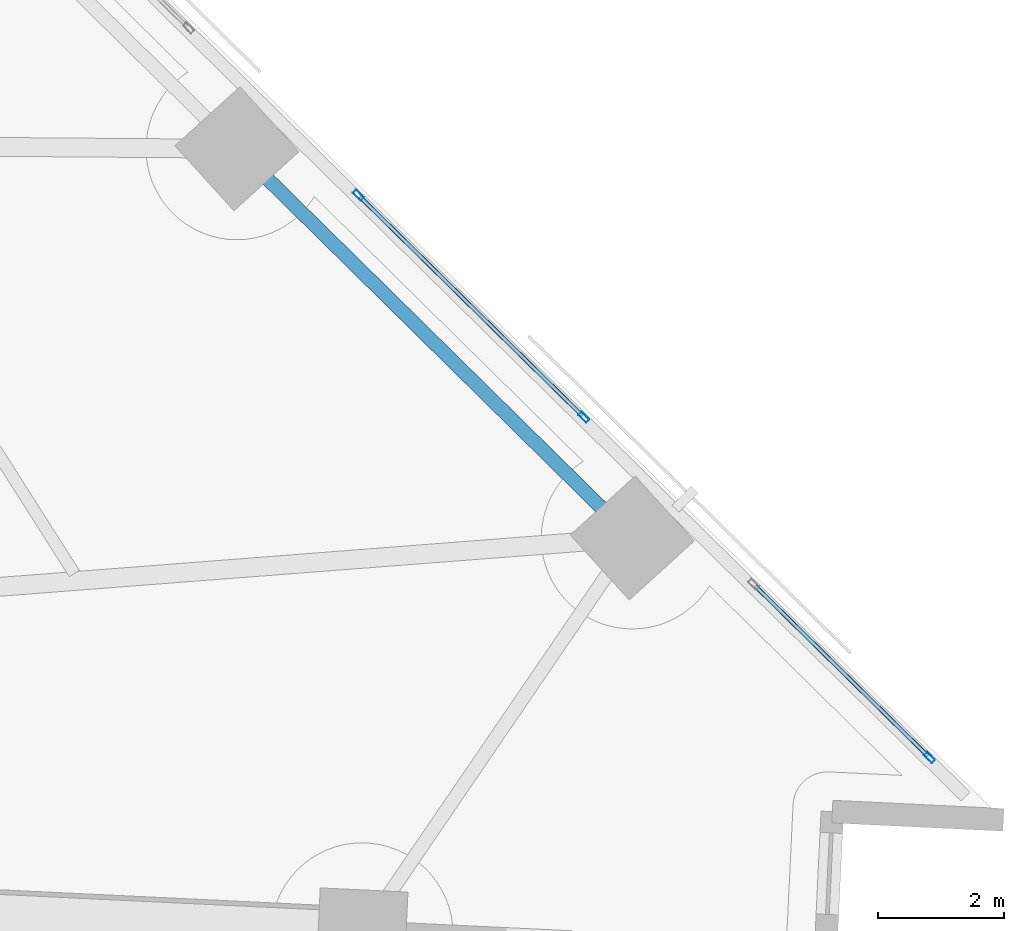
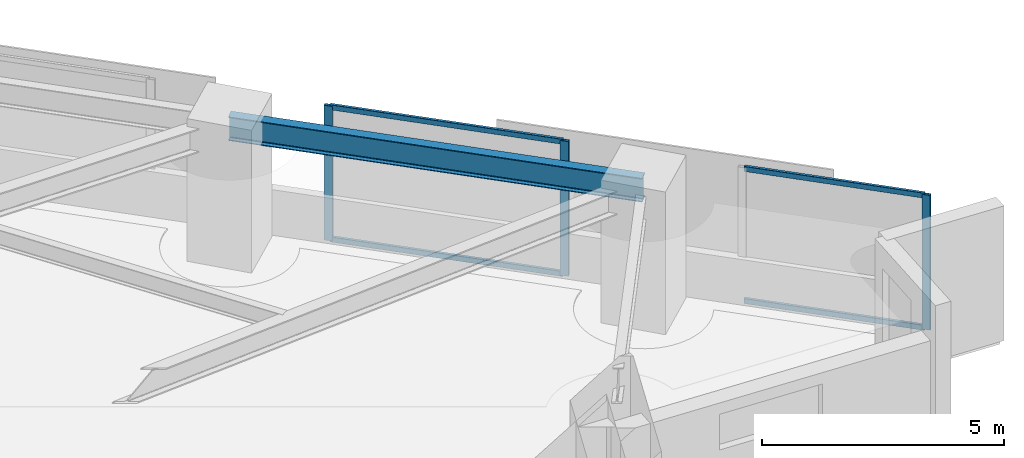
# One storey, part 5 of 17: 7 members, 1 beam, 2 elements without a shape of their own.
"""IFC4 building model written with IfcOpenShell, lengths in metres."""

from ifc_helpers import new_model, si_unit, direction, frame, origin, origin_2d, place, context, subcontext, project, spatial, hollow_rectangle, i_section, extrude, material, material_profile, profile_set, type_object, element, aggregate, save


model = new_model("IFC4")

# Units and contexts
model_context = context("Model", 3, precision=1e-05, world=origin(), true_north=direction((0.0, 1.0)))
body_context = subcontext(model_context, "Body", "Model", "MODEL_VIEW")
ifc_project = project(units=[si_unit("LENGTHUNIT", "METRE"), si_unit("AREAUNIT", "SQUARE_METRE"), si_unit("VOLUMEUNIT", "CUBIC_METRE"), si_unit("PLANEANGLEUNIT", "RADIAN"), si_unit("MASSUNIT", "GRAM", prefix="KILO")], contexts=[model_context])

# Site, building, storey
site_placement = place(None, origin())
site = spatial("IfcSite", under=ifc_project, at=site_placement, CompositionType="ELEMENT")
building_placement = place(site_placement, origin())
building = spatial("IfcBuilding", under=site, at=building_placement, Name="Narakoshi Arena Tower", CompositionType="ELEMENT")
storey_placement = place(building_placement, frame((0.0, 0.0, 30.300048828125)))
storey = spatial("IfcBuildingStorey", under=building, at=storey_placement, Name="L07", CompositionType="ELEMENT", Elevation=30.300048828125)

# Beam
ifc_material_1 = material(Name="Structural steel S355J2", Category="steel")
ifc_material_profile_1 = material_profile(ifc_material_1, i_section(OverallWidth=0.219970703125, OverallDepth=0.60009765625, WebThickness=0.011962890625, FlangeThickness=0.01904296875, FilletRadius=0.02392578125, at=origin_2d()), Name="IPE600")
ifc_profile_set_1 = profile_set([ifc_material_profile_1], Name="Structural steel S355J2")
beam_type = type_object("IfcBeamType", Name="BM-EDGE-600", PredefinedType="BEAM", material=ifc_profile_set_1)
beam_placement = place(storey_placement, frame((114.942138671875, 36.969970703125, 3.099853515625), z_axis=(-0.712540689328, 0.70163079041, 0.0), x_axis=(-0.70163079041, -0.712540689328, 0.0)))
element("IfcBeam", 1, at=beam_placement, inside=storey, type_object=beam_type, Name="L07 Perimeter Edge Girder 05", PredefinedType="BEAM", context=body_context, shape_type="SweptSolid", body=[
    extrude(i_section(OverallWidth=0.219970703125, OverallDepth=0.60009765625, WebThickness=0.011962890625, FlangeThickness=0.01904296875, FilletRadius=0.02392578125, at=origin_2d()), origin(), (0.0, 0.0, 1.0), 8.83935546875),
])

# Curtain wall, member
ifc_material_2 = material(Name="Anodised bronze aluminium 6063-T6", Category="aluminium")
curtain_wall_type = type_object("IfcCurtainWallType", Name="CW-HYP-LOW", PredefinedType="NOTDEFINED", material=ifc_material_2)
curtain_wall_1_placement = place(storey_placement, origin())
curtain_wall_1 = element("IfcCurtainWall", 2, at=curtain_wall_1_placement, inside=storey, type_object=curtain_wall_type, Name="L07 Folded Hypotenuse Curtain Wall 1-1", PredefinedType="NOTDEFINED")
ifc_material_profile_2 = material_profile(ifc_material_2, hollow_rectangle(XDim=0.074951171875, YDim=0.179931640625, WallThickness=0.00390625, OuterFilletRadius=0.0048828125, at=origin_2d()), Name="MUL180x75x4")
ifc_profile_set_2 = profile_set([ifc_material_profile_2], Name="Anodised bronze aluminium 6063-T6")
member_type_1 = type_object("IfcMemberType", Name="MEM-MUL-180", PredefinedType="MULLION", material=ifc_profile_set_2)
member_1_placement = place(storey_placement, frame((119.677734375, 33.471923828125, 0.0), z_axis=(0.0, 0.0, 1.0), x_axis=(-0.701630192894, -0.712541277695, 0.0)))
member_1 = element("IfcMember", 3, at=member_1_placement, type_object=member_type_1, Name="CW-01 mullion 1", PredefinedType="MULLION", context=body_context, shape_type="SweptSolid", body=[
    extrude(hollow_rectangle(XDim=0.074951171875, YDim=0.179931640625, WallThickness=0.00390625, OuterFilletRadius=0.0048828125, at=origin_2d()), origin(), (0.0, 0.0, 1.0), 3.39990234375),
])

# Curtain wall, members
curtain_wall_2_placement = place(storey_placement, origin())
curtain_wall_2 = element("IfcCurtainWall", 4, at=curtain_wall_2_placement, inside=storey, type_object=curtain_wall_type, Name="L07 Folded Hypotenuse Curtain Wall 1-2", PredefinedType="NOTDEFINED")
member_2_placement = place(storey_placement, frame((114.17138671875, 38.893798828125, 0.0), z_axis=(0.0, 0.0, 1.0), x_axis=(-0.701623031404, -0.712548329451, 0.0)))
member_2 = element("IfcMember", 5, at=member_2_placement, type_object=member_type_1, Name="CW-01 mullion 1", PredefinedType="MULLION", context=body_context, shape_type="SweptSolid", body=[
    extrude(hollow_rectangle(XDim=0.074951171875, YDim=0.179931640625, WallThickness=0.00390625, OuterFilletRadius=0.0048828125, at=origin_2d()), origin(), (0.0, 0.0, 1.0), 3.39990234375),
])
member_3_placement = place(storey_placement, frame((110.578857421875, 42.43115234375, 0.0), z_axis=(0.0, 0.0, 1.0), x_axis=(-0.701623031404, -0.712548329451, 0.0)))
member_3 = element("IfcMember", 6, at=member_3_placement, type_object=member_type_1, Name="CW-01 mullion 2", PredefinedType="MULLION", context=body_context, shape_type="SweptSolid", body=[
    extrude(hollow_rectangle(XDim=0.074951171875, YDim=0.179931640625, WallThickness=0.00390625, OuterFilletRadius=0.0048828125, at=origin_2d()), origin(), (0.0, 0.0, 1.0), 3.39990234375),
])

# Member
ifc_material_profile_3 = material_profile(ifc_material_2, hollow_rectangle(XDim=0.06494140625, YDim=0.1298828125, WallThickness=0.00390625, OuterFilletRadius=0.0048828125, at=origin_2d()), Name="TRN130x65x4")
ifc_profile_set_3 = profile_set([ifc_material_profile_3], Name="Anodised bronze aluminium 6063-T6")
member_type_2 = type_object("IfcMemberType", Name="MEM-TRN-130", PredefinedType="USERDEFINED", material=ifc_profile_set_3)
member_4_placement = place(storey_placement, frame((119.65087890625, 33.498046875, 0.032470703125), z_axis=(-0.712532234505, 0.701639376596, 0.0), x_axis=(-0.701639376596, -0.712532234505, 0.0)))
member_4 = element("IfcMember", 7, at=member_4_placement, type_object=member_type_2, Name="CW-01 transom 1.1", ObjectType="TRANSOM", PredefinedType="USERDEFINED", context=body_context, shape_type="SweptSolid", body=[
    extrude(hollow_rectangle(XDim=0.06494140625, YDim=0.1298828125, WallThickness=0.00390625, OuterFilletRadius=0.0048828125, at=origin_2d()), origin(), (0.0, 0.0, 1.0), 3.85498046875),
])

member_5_placement = place(storey_placement, frame((119.65087890625, 33.498046875, 3.367431640625), z_axis=(-0.712532234505, 0.701639376596, 0.0), x_axis=(-0.701639376596, -0.712532234505, 0.0)))
member_5 = element("IfcMember", 8, at=member_5_placement, type_object=member_type_2, Name="CW-01 transom 1.2", ObjectType="TRANSOM", PredefinedType="USERDEFINED", context=body_context, shape_type="SweptSolid", body=[
    extrude(hollow_rectangle(XDim=0.06494140625, YDim=0.1298828125, WallThickness=0.00390625, OuterFilletRadius=0.0048828125, at=origin_2d()), origin(), (0.0, 0.0, 1.0), 3.85498046875),
])

aggregate(curtain_wall_1, [member_1, member_4, member_5])

member_6_placement = place(storey_placement, frame((114.14453125, 38.920166015625, 0.032470703125), z_axis=(-0.712542243067, 0.701629212508, 0.0), x_axis=(-0.701629212508, -0.712542243067, 0.0)))
member_6 = element("IfcMember", 9, at=member_6_placement, type_object=member_type_2, Name="CW-01 transom 1.1", ObjectType="TRANSOM", PredefinedType="USERDEFINED", context=body_context, shape_type="SweptSolid", body=[
    extrude(hollow_rectangle(XDim=0.06494140625, YDim=0.1298828125, WallThickness=0.00390625, OuterFilletRadius=0.0048828125, at=origin_2d()), origin(), (0.0, 0.0, 1.0), 4.966552734375),
])

member_7_placement = place(storey_placement, frame((114.14453125, 38.920166015625, 3.367431640625), z_axis=(-0.712542243067, 0.701629212508, 0.0), x_axis=(-0.701629212508, -0.712542243067, 0.0)))
member_7 = element("IfcMember", 10, at=member_7_placement, type_object=member_type_2, Name="CW-01 transom 1.2", ObjectType="TRANSOM", PredefinedType="USERDEFINED", context=body_context, shape_type="SweptSolid", body=[
    extrude(hollow_rectangle(XDim=0.06494140625, YDim=0.1298828125, WallThickness=0.00390625, OuterFilletRadius=0.0048828125, at=origin_2d()), origin(), (0.0, 0.0, 1.0), 4.966552734375),
])

aggregate(curtain_wall_2, [member_2, member_3, member_6, member_7])

save(model, "model.ifc")
